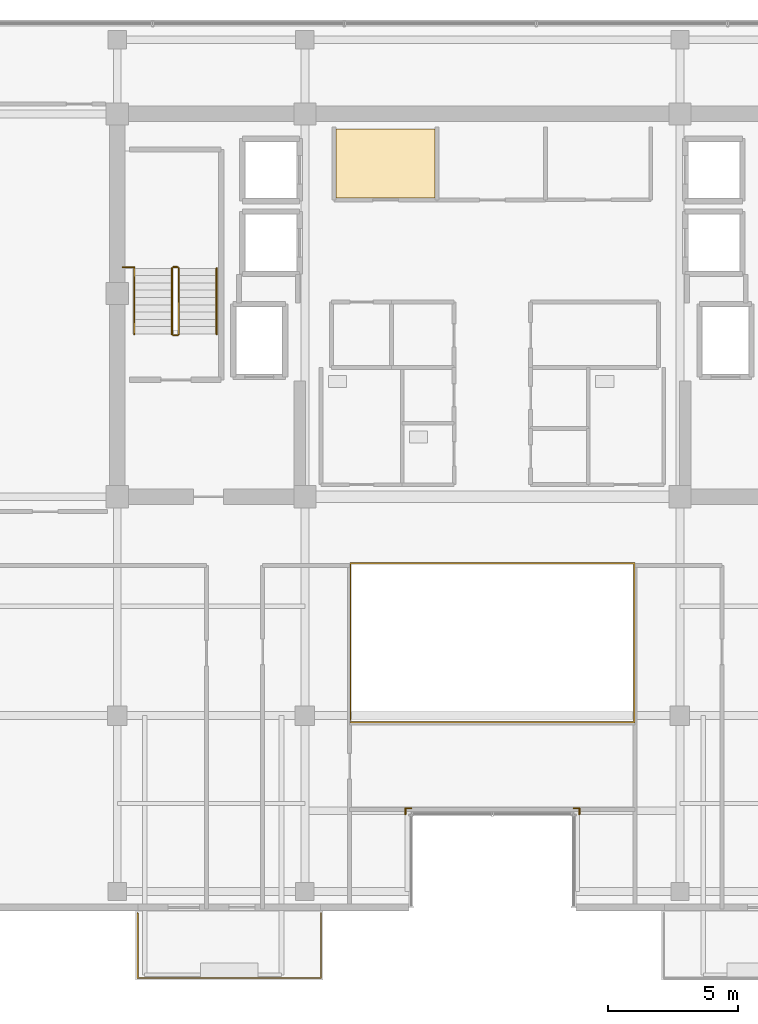
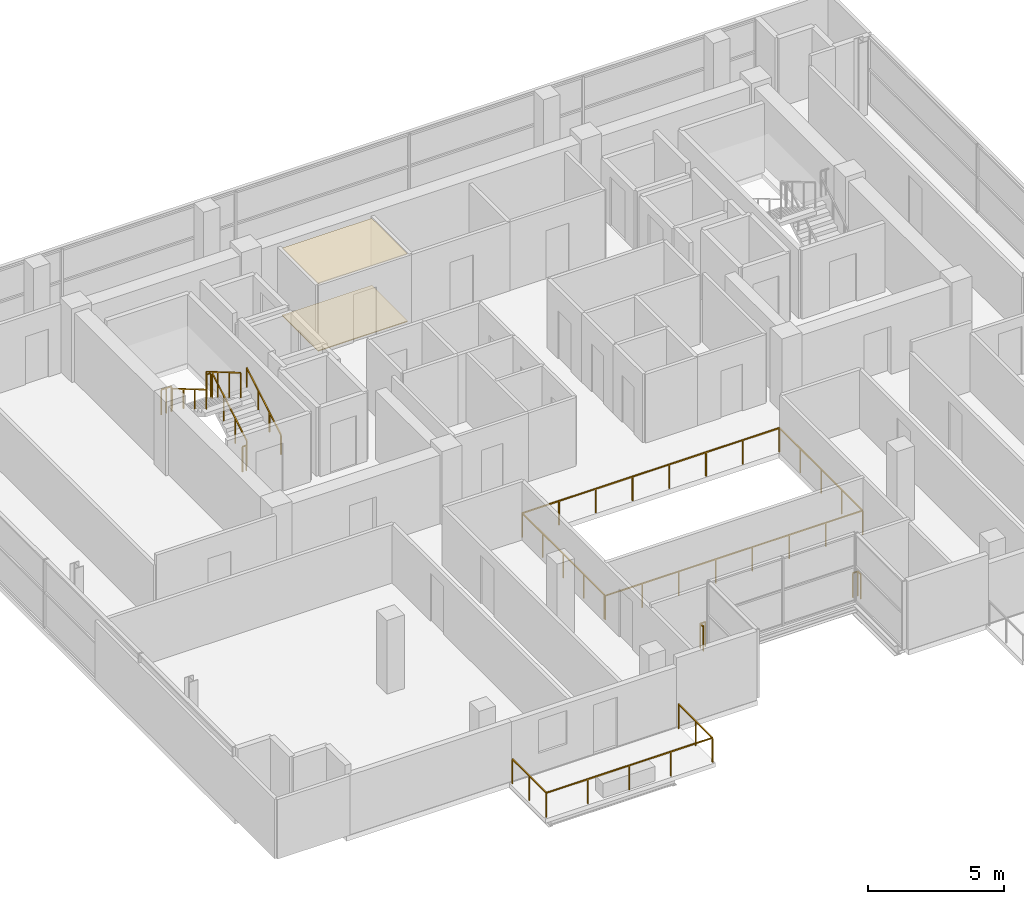
# One storey, part 20 of 22: 13 railings, 2 coverings.
"""IFC4 building model written with IfcOpenShell, lengths in metres."""

from ifc_helpers import new_model, si_unit, direction, frame, origin, origin_2d, place, context, subcontext, project, spatial, polyline, rectangle, outline, extrude, material, layer, layer_set, type_object, element, save


model = new_model("IFC4")

# Units and contexts
model_context = context("Model", 3, precision=1e-05, world=origin(), true_north=direction((0.0, 1.0)))
body_context = subcontext(model_context, "Body", "Model", "MODEL_VIEW")
ifc_project = project(units=[si_unit("LENGTHUNIT", "METRE"), si_unit("AREAUNIT", "SQUARE_METRE"), si_unit("VOLUMEUNIT", "CUBIC_METRE"), si_unit("PLANEANGLEUNIT", "RADIAN"), si_unit("MASSUNIT", "GRAM", prefix="KILO")], contexts=[model_context])

# Site, building, storey
site_placement = place(None, origin())
site = spatial("IfcSite", under=ifc_project, at=site_placement, CompositionType="ELEMENT")
building_placement = place(site_placement, origin())
building = spatial("IfcBuilding", under=site, at=building_placement, Name="Zarnakvel Exchange Tower", CompositionType="ELEMENT")
storey_placement = place(building_placement, frame((0.0, 0.0, 225.39990234375)))
storey = spatial("IfcBuildingStorey", under=building, at=storey_placement, Name="L63", CompositionType="ELEMENT", Elevation=225.39990234375)

# Coverings
ifc_material_1 = material(Name="Perforated Bronze Acoustic Metal Ceiling", Category="aluminium")
ifc_layer_1 = layer(ifc_material_1, 0.02001953125)
ifc_layer_set_1 = layer_set([ifc_layer_1], Name="Perforated Bronze Acoustic Metal Ceiling")
covering_type_1 = type_object("IfcCoveringType", Name="CLG-01", PredefinedType="CEILING", material=ifc_layer_set_1)
covering_1_placement = place(storey_placement, frame((0.0, 0.0, 3.01513671875)))
element("IfcCovering", 1, at=covering_1_placement, inside=storey, type_object=covering_type_1, Name="L63 Suspended Acoustic Ceiling (Clearing Records Office)", PredefinedType="CEILING", context=body_context, shape_type="SweptSolid", body=[
    extrude(outline(polyline([(-6.0, 12.919921875), (-2.199951171875, 12.919921875), (-2.199951171875, 10.280029296875), (-6.0, 10.280029296875), (-6.0, 12.919921875)])), origin(), (0.0, 0.0, 1.0), 0.02001953125),
])
ifc_material_2 = material(Name="Heavy-Duty Raised Access Floor Panel", Category="steel")
ifc_layer_2 = layer(ifc_material_2, 0.034912109375)
ifc_layer_set_2 = layer_set([ifc_layer_2], Name="Heavy-Duty Raised Access Floor Panel")
covering_type_2 = type_object("IfcCoveringType", Name="FLR-02", PredefinedType="FLOORING", material=ifc_layer_set_2)
covering_2_placement = place(storey_placement, origin())
element("IfcCovering", 2, at=covering_2_placement, inside=storey, type_object=covering_type_2, Name="L63 Floor Finish (Clearing Records Office)", PredefinedType="FLOORING", context=body_context, shape_type="SweptSolid", body=[
    extrude(outline(polyline([(-6.0, 12.919921875), (-2.199951171875, 12.919921875), (-2.199951171875, 10.280029296875), (-6.0, 10.280029296875), (-6.0, 12.919921875)])), origin(), (0.0, 0.0, 1.0), 0.03515625),
])

# Railings
ifc_material_3 = material(Name="Architectural Bronze Anodised Aluminium", Category="aluminium")
railing_type_1 = type_object("IfcRailingType", Name="GR-02", PredefinedType="GUARDRAIL", material=ifc_material_3)
railing_1_placement = place(storey_placement, frame((-13.6201171875, -17.179931640625, -0.034912109375)))
element("IfcRailing", 3, at=railing_1_placement, inside=storey, type_object=railing_type_1, Name="L63 Balcony Guardrail BAL-L63-SW", PredefinedType="GUARDRAIL", context=body_context, shape_type="SweptSolid", body=[
    extrude(rectangle(XDim=0.048095703125, YDim=0.048095703125, at=origin_2d()), frame((0.0, 0.0, 1.09619140625), z_axis=(0.0, -1.0, 0.0), x_axis=(1.0, 0.0, 0.0)), (0.0, 0.0, 1.0), 2.489990234375),
    extrude(rectangle(XDim=0.048095703125, YDim=0.048095703125, at=origin_2d()), frame((0.0, -2.489990234375, 1.09619140625), z_axis=(1.0, 0.0, 0.0), x_axis=(0.0, 1.0, 0.0)), (0.0, 0.0, 1.0), 7.0400390625),
    extrude(rectangle(XDim=0.048095703125, YDim=0.048095703125, at=origin_2d()), frame((7.0400390625, -2.489990234375, 1.09619140625), z_axis=(0.0, 1.0, 0.0), x_axis=(-1.0, 0.0, 0.0)), (0.0, 0.0, 1.0), 2.489990234375),
    extrude(rectangle(XDim=0.0419921875, YDim=0.0419921875, at=origin_2d()), origin(), (0.0, 0.0, 1.0), 1.072021484375),
    extrude(rectangle(XDim=0.0419921875, YDim=0.0419921875, at=origin_2d()), frame((0.0, -1.2451171875, 0.0)), (0.0, 0.0, 1.0), 1.072021484375),
    extrude(rectangle(XDim=0.0419921875, YDim=0.0419921875, at=origin_2d()), frame((0.0, -2.489990234375, 0.0)), (0.0, 0.0, 1.0), 1.072021484375),
    extrude(rectangle(XDim=0.0419921875, YDim=0.0419921875, at=origin_2d()), frame((1.760009765625, -2.489990234375, 0.0)), (0.0, 0.0, 1.0), 1.072021484375),
    extrude(rectangle(XDim=0.0419921875, YDim=0.0419921875, at=origin_2d()), frame((3.52001953125, -2.489990234375, 0.0)), (0.0, 0.0, 1.0), 1.072021484375),
    extrude(rectangle(XDim=0.0419921875, YDim=0.0419921875, at=origin_2d()), frame((5.280029296875, -2.489990234375, 0.0)), (0.0, 0.0, 1.0), 1.072021484375),
    extrude(rectangle(XDim=0.0419921875, YDim=0.0419921875, at=origin_2d()), frame((7.0400390625, -2.489990234375, 0.0)), (0.0, 0.0, 1.0), 1.072021484375),
    extrude(rectangle(XDim=0.0419921875, YDim=0.0419921875, at=origin_2d()), frame((7.0400390625, -1.2451171875, 0.0)), (0.0, 0.0, 1.0), 1.072021484375),
    extrude(rectangle(XDim=0.0419921875, YDim=0.0419921875, at=origin_2d()), frame((7.0400390625, 0.0, 0.0)), (0.0, 0.0, 1.0), 1.072021484375),
])
railing_2_placement = place(storey_placement, frame((3.340087890625, -13.3798828125, 0.0)))
element("IfcRailing", 4, at=railing_2_placement, inside=storey, type_object=railing_type_1, Name="L63 Corner Spandrel Balustrade #17", PredefinedType="GUARDRAIL", context=body_context, shape_type="SweptSolid", body=[
    extrude(rectangle(XDim=0.048095703125, YDim=0.048095703125, at=origin_2d()), frame((0.0, 0.0, 1.09619140625), z_axis=(0.0, 1.0, 0.0), x_axis=(-1.0, 0.0, 0.0)), (0.0, 0.0, 1.0), 0.219970703125),
    extrude(rectangle(XDim=0.0419921875, YDim=0.0419921875, at=origin_2d()), origin(), (0.0, 0.0, 1.0), 1.072021484375),
    extrude(rectangle(XDim=0.0419921875, YDim=0.0419921875, at=origin_2d()), frame((0.0, 0.219970703125, 0.0)), (0.0, 0.0, 1.0), 1.072021484375),
])
for number, where, name in (
    (5, (3.340087890625, -13.159912109375, 0.0), "L63 Corner Spandrel Balustrade #18"),
    (6, (-3.1201171875, -13.159912109375, 0.0), "L63 Corner Spandrel Balustrade #19"),
):
    element("IfcRailing", number, at=place(storey_placement, frame(where)), inside=storey, type_object=railing_type_1, Name=name, PredefinedType="GUARDRAIL", context=body_context, shape_type="SweptSolid", body=[
        extrude(rectangle(XDim=0.048095703125, YDim=0.048095703125, at=origin_2d()), frame((0.0, 0.0, 1.09619140625), z_axis=(-1.0, 0.0, 0.0), x_axis=(0.0, -1.0, 0.0)), (0.0, 0.0, 1.0), 0.219970703125),
        extrude(rectangle(XDim=0.0419921875, YDim=0.0419921875, at=origin_2d()), origin(), (0.0, 0.0, 1.0), 1.072021484375),
        extrude(rectangle(XDim=0.0419921875, YDim=0.0419921875, at=origin_2d()), frame((-0.219970703125, 0.0, 0.0)), (0.0, 0.0, 1.0), 1.072021484375),
    ])
railing_3_placement = place(storey_placement, frame((-3.340087890625, -13.159912109375, 0.0)))
element("IfcRailing", 7, at=railing_3_placement, inside=storey, type_object=railing_type_1, Name="L63 Corner Spandrel Balustrade #20", PredefinedType="GUARDRAIL", context=body_context, shape_type="SweptSolid", body=[
    extrude(rectangle(XDim=0.048095703125, YDim=0.048095703125, at=origin_2d()), frame((0.0, 0.0, 1.09619140625), z_axis=(0.0, -1.0, 0.0), x_axis=(1.0, 0.0, 0.0)), (0.0, 0.0, 1.0), 0.219970703125),
    extrude(rectangle(XDim=0.0419921875, YDim=0.0419921875, at=origin_2d()), origin(), (0.0, 0.0, 1.0), 1.072021484375),
    extrude(rectangle(XDim=0.0419921875, YDim=0.0419921875, at=origin_2d()), frame((0.0, -0.219970703125, 0.0)), (0.0, 0.0, 1.0), 1.072021484375),
])
railing_type_2 = type_object("IfcRailingType", Name="GR-03", PredefinedType="GUARDRAIL", material=ifc_material_3)
railing_4_placement = place(storey_placement, frame((-5.449951171875, -9.85009765625, 0.0)))
element("IfcRailing", 8, at=railing_4_placement, inside=storey, type_object=railing_type_2, Name="L63 Atrium Void Perimeter Balustrade", PredefinedType="GUARDRAIL", context=body_context, shape_type="SweptSolid", body=[
    extrude(rectangle(XDim=0.048095703125, YDim=0.048095703125, at=origin_2d()), frame((0.0, 0.0, 1.076171875), z_axis=(1.0, 0.0, 0.0), x_axis=(0.0, 1.0, 0.0)), (0.0, 0.0, 1.0), 10.89990234375),
    extrude(rectangle(XDim=0.048095703125, YDim=0.048095703125, at=origin_2d()), frame((10.89990234375, 0.0, 1.076171875), z_axis=(0.0, 1.0, 0.0), x_axis=(-1.0, 0.0, 0.0)), (0.0, 0.0, 1.0), 6.10009765625),
    extrude(rectangle(XDim=0.048095703125, YDim=0.048095703125, at=origin_2d()), frame((10.89990234375, 6.10009765625, 1.076171875), z_axis=(-1.0, 0.0, 0.0), x_axis=(0.0, -1.0, 0.0)), (0.0, 0.0, 1.0), 10.89990234375),
    extrude(rectangle(XDim=0.048095703125, YDim=0.048095703125, at=origin_2d()), frame((0.0, 6.10009765625, 1.076171875), z_axis=(0.0, -1.0, 0.0), x_axis=(1.0, 0.0, 0.0)), (0.0, 0.0, 1.0), 6.02001953125),
    extrude(rectangle(XDim=0.0419921875, YDim=0.0419921875, at=origin_2d()), origin(), (0.0, 0.0, 1.0), 1.052001953125),
    extrude(rectangle(XDim=0.0419921875, YDim=0.0419921875, at=origin_2d()), frame((1.55712890625, 0.0, 0.0)), (0.0, 0.0, 1.0), 1.052001953125),
    extrude(rectangle(XDim=0.0419921875, YDim=0.0419921875, at=origin_2d()), frame((3.1142578125, 0.0, 0.0)), (0.0, 0.0, 1.0), 1.052001953125),
    extrude(rectangle(XDim=0.0419921875, YDim=0.0419921875, at=origin_2d()), frame((4.67138671875, 0.0, 0.0)), (0.0, 0.0, 1.0), 1.052001953125),
    extrude(rectangle(XDim=0.0419921875, YDim=0.0419921875, at=origin_2d()), frame((6.228515625, 0.0, 0.0)), (0.0, 0.0, 1.0), 1.052001953125),
    extrude(rectangle(XDim=0.0419921875, YDim=0.0419921875, at=origin_2d()), frame((7.78564453125, 0.0, 0.0)), (0.0, 0.0, 1.0), 1.052001953125),
    extrude(rectangle(XDim=0.0419921875, YDim=0.0419921875, at=origin_2d()), frame((9.3427734375, 0.0, 0.0)), (0.0, 0.0, 1.0), 1.052001953125),
    extrude(rectangle(XDim=0.0419921875, YDim=0.0419921875, at=origin_2d()), frame((10.89990234375, 0.0, 0.0)), (0.0, 0.0, 1.0), 1.052001953125),
    extrude(rectangle(XDim=0.0419921875, YDim=0.0419921875, at=origin_2d()), frame((10.89990234375, 1.52490234375, 0.0)), (0.0, 0.0, 1.0), 1.052001953125),
    extrude(rectangle(XDim=0.0419921875, YDim=0.0419921875, at=origin_2d()), frame((10.89990234375, 3.050048828125, 0.0)), (0.0, 0.0, 1.0), 1.052001953125),
    extrude(rectangle(XDim=0.0419921875, YDim=0.0419921875, at=origin_2d()), frame((10.89990234375, 4.5751953125, 0.0)), (0.0, 0.0, 1.0), 1.052001953125),
    extrude(rectangle(XDim=0.0419921875, YDim=0.0419921875, at=origin_2d()), frame((10.89990234375, 6.10009765625, 0.0)), (0.0, 0.0, 1.0), 1.052001953125),
    extrude(rectangle(XDim=0.0419921875, YDim=0.0419921875, at=origin_2d()), frame((9.3427734375, 6.10009765625, 0.0)), (0.0, 0.0, 1.0), 1.052001953125),
    extrude(rectangle(XDim=0.0419921875, YDim=0.0419921875, at=origin_2d()), frame((7.78564453125, 6.10009765625, 0.0)), (0.0, 0.0, 1.0), 1.052001953125),
    extrude(rectangle(XDim=0.0419921875, YDim=0.0419921875, at=origin_2d()), frame((6.228515625, 6.10009765625, 0.0)), (0.0, 0.0, 1.0), 1.052001953125),
    extrude(rectangle(XDim=0.0419921875, YDim=0.0419921875, at=origin_2d()), frame((4.67138671875, 6.10009765625, 0.0)), (0.0, 0.0, 1.0), 1.052001953125),
    extrude(rectangle(XDim=0.0419921875, YDim=0.0419921875, at=origin_2d()), frame((3.1142578125, 6.10009765625, 0.0)), (0.0, 0.0, 1.0), 1.052001953125),
    extrude(rectangle(XDim=0.0419921875, YDim=0.0419921875, at=origin_2d()), frame((1.55712890625, 6.10009765625, 0.0)), (0.0, 0.0, 1.0), 1.052001953125),
    extrude(rectangle(XDim=0.0419921875, YDim=0.0419921875, at=origin_2d()), frame((0.0, 6.10009765625, 0.0)), (0.0, 0.0, 1.0), 1.052001953125),
    extrude(rectangle(XDim=0.0419921875, YDim=0.0419921875, at=origin_2d()), frame((0.0, 4.59521484375, 0.0)), (0.0, 0.0, 1.0), 1.052001953125),
    extrude(rectangle(XDim=0.0419921875, YDim=0.0419921875, at=origin_2d()), frame((0.0, 3.090087890625, 0.0)), (0.0, 0.0, 1.0), 1.052001953125),
    extrude(rectangle(XDim=0.0419921875, YDim=0.0419921875, at=origin_2d()), frame((0.0, 1.5849609375, 0.0)), (0.0, 0.0, 1.0), 1.052001953125),
    extrude(rectangle(XDim=0.0419921875, YDim=0.0419921875, at=origin_2d()), frame((0.0, 0.080078125, 0.0)), (0.0, 0.0, 1.0), 1.052001953125),
])
ifc_material_4 = material(Name="Brushed Stainless Steel", Category="steel")
railing_type_3 = type_object("IfcRailingType", Name="HR-01", PredefinedType="HANDRAIL", material=ifc_material_4)
railing_5_placement = place(storey_placement, frame((-10.590087890625, 5.050048828125, 0.1650390625)))
element("IfcRailing", 9, at=railing_5_placement, inside=storey, type_object=railing_type_3, Name="L63 ST-01 stair handrail 1", PredefinedType="HANDRAIL", context=body_context, shape_type="SweptSolid", body=[
    extrude(rectangle(XDim=0.048095703125, YDim=0.048095703125, at=origin_2d()), frame((0.0, 0.0, 0.8759765625), z_axis=(0.0, 0.86152411907, 0.507716645641), x_axis=(-1.0, 0.0, 0.0)), (0.0, 0.0, 1.0), 2.925048828125),
    extrude(rectangle(XDim=0.0419921875, YDim=0.0419921875, at=origin_2d()), origin(), (0.0, 0.0, 1.0), 0.851806640625),
    extrude(rectangle(XDim=0.0419921875, YDim=0.0419921875, at=origin_2d()), frame((0.0, 0.840087890625, 0.4951171875)), (0.0, 0.0, 1.0), 0.851806640625),
    extrude(rectangle(XDim=0.0419921875, YDim=0.0419921875, at=origin_2d()), frame((0.0, 1.679931640625, 0.989990234375)), (0.0, 0.0, 1.0), 0.851806640625),
    extrude(rectangle(XDim=0.0419921875, YDim=0.0419921875, at=origin_2d()), frame((0.0, 2.52001953125, 1.485107421875)), (0.0, 0.0, 1.0), 0.851806640625),
])
railing_6_placement = place(storey_placement, frame((-13.75, 7.570068359375, 1.815185546875)))
element("IfcRailing", 10, at=railing_6_placement, inside=storey, type_object=railing_type_3, Name="L63 ST-01 stair handrail 2", PredefinedType="HANDRAIL", context=body_context, shape_type="SweptSolid", body=[
    extrude(rectangle(XDim=0.048095703125, YDim=0.048095703125, at=origin_2d()), frame((0.0, 0.0, 0.8759765625), z_axis=(0.0, -0.861560626758, 0.507654692109), x_axis=(1.0, 0.0, 0.0)), (0.0, 0.0, 1.0), 2.925048828125),
    extrude(rectangle(XDim=0.0419921875, YDim=0.0419921875, at=origin_2d()), origin(), (0.0, 0.0, 1.0), 0.851806640625),
    extrude(rectangle(XDim=0.0419921875, YDim=0.0419921875, at=origin_2d()), frame((0.0, -0.840087890625, 0.494873046875)), (0.0, 0.0, 1.0), 0.851806640625),
    extrude(rectangle(XDim=0.0419921875, YDim=0.0419921875, at=origin_2d()), frame((0.0, -1.679931640625, 0.989990234375)), (0.0, 0.0, 1.0), 0.851806640625),
    extrude(rectangle(XDim=0.0419921875, YDim=0.0419921875, at=origin_2d()), frame((0.0, -2.52001953125, 1.48486328125)), (0.0, 0.0, 1.0), 0.851806640625),
])
railing_type_4 = type_object("IfcRailingType", Name="SG-01", PredefinedType="GUARDRAIL", material=ifc_material_3)
railing_7_placement = place(storey_placement, frame((-12.0400390625, 5.050048828125, 0.1650390625)))
element("IfcRailing", 11, at=railing_7_placement, inside=storey, type_object=railing_type_4, Name="L63 ST-01 stair guard 1", PredefinedType="GUARDRAIL", context=body_context, shape_type="SweptSolid", body=[
    extrude(rectangle(XDim=0.048095703125, YDim=0.048095703125, at=origin_2d()), frame((0.0, 0.0, 1.1259765625), z_axis=(0.0, 0.86152411907, 0.507716645641), x_axis=(-1.0, 0.0, 0.0)), (0.0, 0.0, 1.0), 2.925048828125),
    extrude(rectangle(XDim=0.0419921875, YDim=0.0419921875, at=origin_2d()), origin(), (0.0, 0.0, 1.0), 1.101806640625),
    extrude(rectangle(XDim=0.0419921875, YDim=0.0419921875, at=origin_2d()), frame((0.0, 0.840087890625, 0.4951171875)), (0.0, 0.0, 1.0), 1.101806640625),
    extrude(rectangle(XDim=0.0419921875, YDim=0.0419921875, at=origin_2d()), frame((0.0, 1.679931640625, 0.989990234375)), (0.0, 0.0, 1.0), 1.101806640625),
    extrude(rectangle(XDim=0.0419921875, YDim=0.0419921875, at=origin_2d()), frame((0.0, 2.52001953125, 1.485107421875)), (0.0, 0.0, 1.0), 1.101806640625),
])
railing_8_placement = place(storey_placement, frame((-12.090087890625, 7.6201171875, 1.650146484375)))
element("IfcRailing", 12, at=railing_8_placement, inside=storey, type_object=railing_type_4, Name="L63 ST-01 stair guard 2", PredefinedType="GUARDRAIL", context=body_context, shape_type="SweptSolid", body=[
    extrude(rectangle(XDim=0.048095703125, YDim=0.048095703125, at=origin_2d()), frame((0.0, 0.0, 1.1259765625), z_axis=(-1.0, 0.0, 0.0), x_axis=(0.0, -1.0, 0.0)), (0.0, 0.0, 1.0), 0.159912109375),
    extrude(rectangle(XDim=0.0419921875, YDim=0.0419921875, at=origin_2d()), origin(), (0.0, 0.0, 1.0), 1.101806640625),
    extrude(rectangle(XDim=0.0419921875, YDim=0.0419921875, at=origin_2d()), frame((-0.159912109375, 0.0, 0.0)), (0.0, 0.0, 1.0), 1.101806640625),
])
railing_9_placement = place(storey_placement, frame((-12.300048828125, 7.570068359375, 1.815185546875)))
element("IfcRailing", 13, at=railing_9_placement, inside=storey, type_object=railing_type_4, Name="L63 ST-01 stair guard 3", PredefinedType="GUARDRAIL", context=body_context, shape_type="SweptSolid", body=[
    extrude(rectangle(XDim=0.048095703125, YDim=0.048095703125, at=origin_2d()), frame((0.0, 0.0, 1.1259765625), z_axis=(0.0, -0.861560626758, 0.507654692109), x_axis=(1.0, 0.0, 0.0)), (0.0, 0.0, 1.0), 2.925048828125),
    extrude(rectangle(XDim=0.0419921875, YDim=0.0419921875, at=origin_2d()), origin(), (0.0, 0.0, 1.0), 1.101806640625),
    extrude(rectangle(XDim=0.0419921875, YDim=0.0419921875, at=origin_2d()), frame((0.0, -0.840087890625, 0.494873046875)), (0.0, 0.0, 1.0), 1.101806640625),
    extrude(rectangle(XDim=0.0419921875, YDim=0.0419921875, at=origin_2d()), frame((0.0, -1.679931640625, 0.989990234375)), (0.0, 0.0, 1.0), 1.101806640625),
    extrude(rectangle(XDim=0.0419921875, YDim=0.0419921875, at=origin_2d()), frame((0.0, -2.52001953125, 1.48486328125)), (0.0, 0.0, 1.0), 1.101806640625),
])
railing_10_placement = place(storey_placement, frame((-12.090087890625, 5.0, 0.0)))
element("IfcRailing", 14, at=railing_10_placement, inside=storey, type_object=railing_type_4, Name="L63 ST-01 stair guard 4", PredefinedType="GUARDRAIL", context=body_context, shape_type="SweptSolid", body=[
    extrude(rectangle(XDim=0.048095703125, YDim=0.048095703125, at=origin_2d()), frame((0.0, 0.0, 1.1259765625), z_axis=(-1.0, 0.0, 0.0), x_axis=(0.0, -1.0, 0.0)), (0.0, 0.0, 1.0), 0.159912109375),
    extrude(rectangle(XDim=0.0419921875, YDim=0.0419921875, at=origin_2d()), origin(), (0.0, 0.0, 1.0), 1.101806640625),
    extrude(rectangle(XDim=0.0419921875, YDim=0.0419921875, at=origin_2d()), frame((-0.159912109375, 0.0, 0.0)), (0.0, 0.0, 1.0), 1.101806640625),
])
railing_11_placement = place(storey_placement, frame((-14.179931640625, 7.610107421875, 1.650146484375)))
element("IfcRailing", 15, at=railing_11_placement, inside=storey, type_object=railing_type_4, Name="L63 ST-01 Landing Slot Guardrail", PredefinedType="GUARDRAIL", context=body_context, shape_type="SweptSolid", body=[
    extrude(rectangle(XDim=0.048095703125, YDim=0.048095703125, at=origin_2d()), frame((0.0, 0.0, 1.1259765625), z_axis=(1.0, 0.0, 0.0), x_axis=(0.0, 1.0, 0.0)), (0.0, 0.0, 1.0), 0.429931640625),
    extrude(rectangle(XDim=0.0419921875, YDim=0.0419921875, at=origin_2d()), origin(), (0.0, 0.0, 1.0), 1.101806640625),
    extrude(rectangle(XDim=0.0419921875, YDim=0.0419921875, at=origin_2d()), frame((0.21484375, 0.0, 0.0)), (0.0, 0.0, 1.0), 1.101806640625),
    extrude(rectangle(XDim=0.0419921875, YDim=0.0419921875, at=origin_2d()), frame((0.429931640625, 0.0, 0.0)), (0.0, 0.0, 1.0), 1.101806640625),
])

save(model, "model.ifc")
